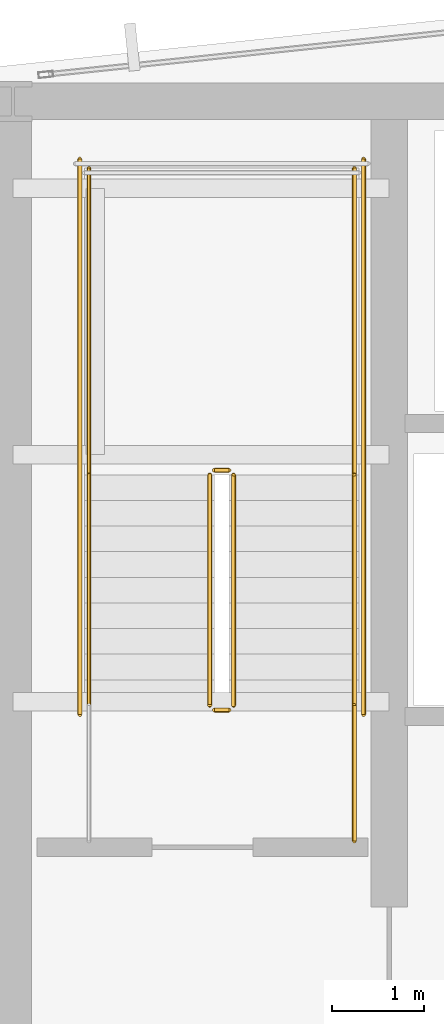
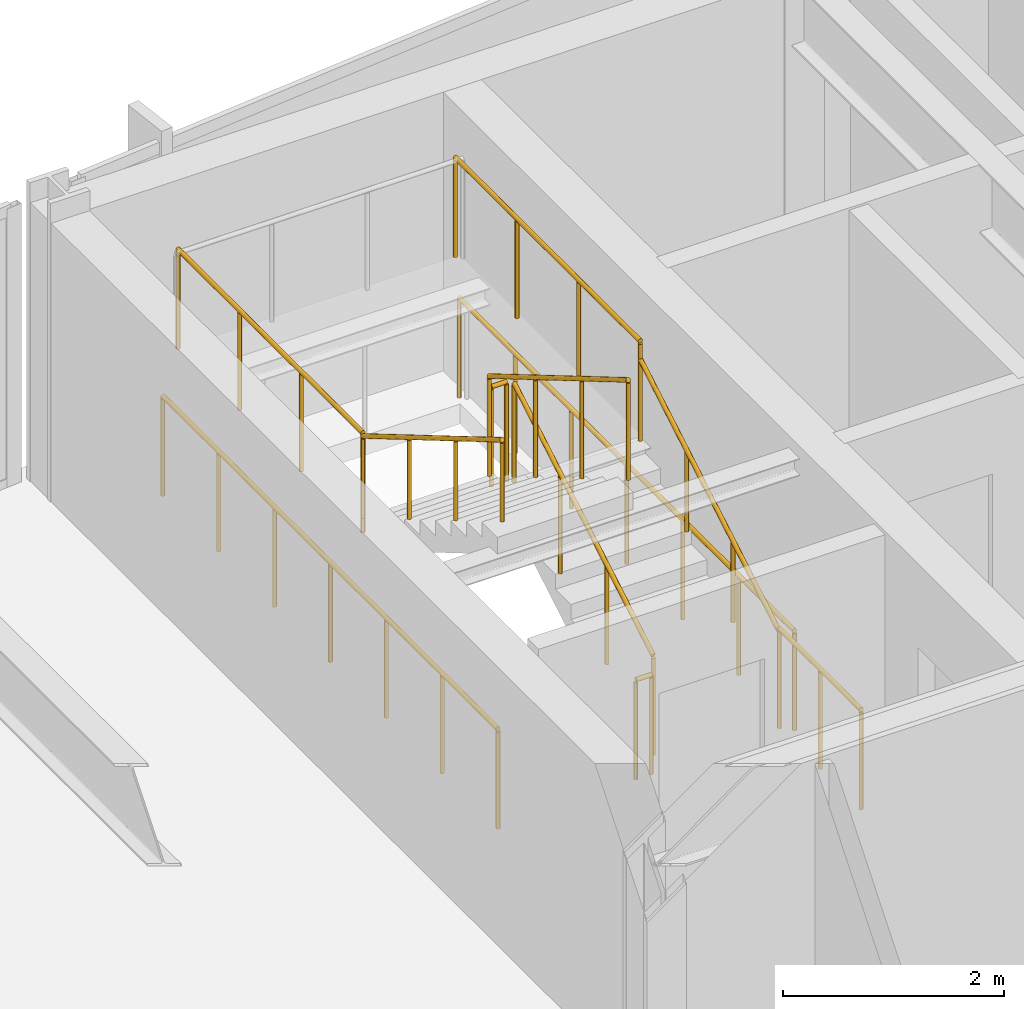
# One storey, part 31 of 33: 11 railings.
"""IFC4 building model written with IfcOpenShell, lengths in metres."""

from ifc_helpers import new_model, si_unit, direction, frame, origin, origin_2d, place, context, subcontext, project, spatial, circle, extrude, material, layer, layer_set, type_object, element, save


model = new_model("IFC4")

# Units and contexts
model_context = context("Model", 3, precision=1e-05, world=origin(), true_north=direction((0.0, 1.0)))
body_context = subcontext(model_context, "Body", "Model", "MODEL_VIEW")
ifc_project = project(units=[si_unit("LENGTHUNIT", "METRE"), si_unit("AREAUNIT", "SQUARE_METRE"), si_unit("VOLUMEUNIT", "CUBIC_METRE"), si_unit("PLANEANGLEUNIT", "RADIAN"), si_unit("MASSUNIT", "GRAM", prefix="KILO")], contexts=[model_context])

# Site, building, storey
site_placement = place(None, origin())
site = spatial("IfcSite", under=ifc_project, at=site_placement, CompositionType="ELEMENT")
building_placement = place(site_placement, origin())
building = spatial("IfcBuilding", under=site, at=building_placement, Name="Yelkora Congress Tower", CompositionType="ELEMENT")
storey_placement = place(building_placement, frame((0.0, 0.0, 240.800048828125)))
storey = spatial("IfcBuildingStorey", under=building, at=storey_placement, Name="L67", CompositionType="ELEMENT", Elevation=240.800048828125)

# Railings
ifc_material_1 = material(Name="Painted galvanised steel stair well guard with vertical infill", Category="steel")
ifc_layer_1 = layer(ifc_material_1, 0.06005859375)
ifc_layer_set_1 = layer_set([ifc_layer_1], Name="Painted galvanised steel stair well guard with vertical infill")
railing_type_1 = type_object("IfcRailingType", Name="RAIL-STAIR-GUARD-1120", PredefinedType="GUARDRAIL", material=ifc_layer_set_1)
railing_1_placement = place(storey_placement, frame((25.449951171875, 39.60009765625, 0.1650390625)))
element("IfcRailing", 1, at=railing_1_placement, inside=storey, type_object=railing_type_1, Name="ST-01 L67 Stair Well Guardrail 1", PredefinedType="GUARDRAIL", context=body_context, shape_type="SweptSolid", body=[
    extrude(circle(Radius=0.02392578125, at=origin_2d()), frame((0.0, 0.0, 1.09619140625), z_axis=(0.0, 0.861560626758, 0.507654692109), x_axis=(-1.0, 0.0, 0.0)), (0.0, 0.0, 1.0), 2.925048828125),
    extrude(circle(Radius=0.02099609375, at=origin_2d()), origin(), (0.0, 0.0, 1.0), 1.072021484375),
    extrude(circle(Radius=0.02099609375, at=origin_2d()), frame((0.0, 0.840087890625, 0.494873046875)), (0.0, 0.0, 1.0), 1.072021484375),
    extrude(circle(Radius=0.02099609375, at=origin_2d()), frame((0.0, 1.679931640625, 0.989990234375)), (0.0, 0.0, 1.0), 1.072021484375),
    extrude(circle(Radius=0.02099609375, at=origin_2d()), frame((0.0, 2.52001953125, 1.48486328125)), (0.0, 0.0, 1.0), 1.072021484375),
])
railing_2_placement = place(storey_placement, frame((25.39990234375, 42.169921875, 1.64990234375)))
element("IfcRailing", 2, at=railing_2_placement, inside=storey, type_object=railing_type_1, Name="ST-01 L67 Stair Well Guardrail 2", PredefinedType="GUARDRAIL", context=body_context, shape_type="SweptSolid", body=[
    extrude(circle(Radius=0.02392578125, at=origin_2d()), frame((0.0, 0.0, 1.09619140625), z_axis=(-1.0, 0.0, 0.0), x_axis=(0.0, -1.0, 0.0)), (0.0, 0.0, 1.0), 0.159912109375),
    extrude(circle(Radius=0.02099609375, at=origin_2d()), origin(), (0.0, 0.0, 1.0), 1.072021484375),
    extrude(circle(Radius=0.02099609375, at=origin_2d()), frame((-0.159912109375, 0.0, 0.0)), (0.0, 0.0, 1.0), 1.072021484375),
])
for number, where, name in (
    (3, (26.77001953125, 42.1201171875, 1.64990234375), "ST-01 L67 Stair Well Guardrail 3"),
    (4, (23.8701171875, 42.1201171875, 1.64990234375), "ST-01 L67 Stair Well Guardrail 4"),
):
    element("IfcRailing", number, at=place(storey_placement, frame(where)), inside=storey, type_object=railing_type_1, Name=name, PredefinedType="GUARDRAIL", context=body_context, shape_type="SweptSolid", body=[
        extrude(circle(Radius=0.02392578125, at=origin_2d()), frame((0.0, 0.0, 1.09619140625), z_axis=(0.0, 1.0, 0.0), x_axis=(-1.0, 0.0, 0.0)), (0.0, 0.0, 1.0), 3.349853515625),
        extrude(circle(Radius=0.02099609375, at=origin_2d()), origin(), (0.0, 0.0, 1.0), 1.072021484375),
        extrude(circle(Radius=0.02099609375, at=origin_2d()), frame((0.0, 1.11669921875, 0.0)), (0.0, 0.0, 1.0), 1.072021484375),
        extrude(circle(Radius=0.02099609375, at=origin_2d()), frame((0.0, 2.233154296875, 0.0)), (0.0, 0.0, 1.0), 1.072021484375),
        extrude(circle(Radius=0.02099609375, at=origin_2d()), frame((0.0, 3.349853515625, 0.0)), (0.0, 0.0, 1.0), 1.072021484375),
    ])
railing_3_placement = place(storey_placement, frame((25.18994140625, 42.1201171875, 1.81494140625)))
element("IfcRailing", 5, at=railing_3_placement, inside=storey, type_object=railing_type_1, Name="ST-01 L67 Stair Well Guardrail 6", PredefinedType="GUARDRAIL", context=body_context, shape_type="SweptSolid", body=[
    extrude(circle(Radius=0.02392578125, at=origin_2d()), frame((0.0, 0.0, 1.09619140625), z_axis=(0.0, -0.86152411907, 0.507716645641), x_axis=(1.0, 0.0, 0.0)), (0.0, 0.0, 1.0), 2.925048828125),
    extrude(circle(Radius=0.02099609375, at=origin_2d()), origin(), (0.0, 0.0, 1.0), 1.072021484375),
    extrude(circle(Radius=0.02099609375, at=origin_2d()), frame((0.0, -0.840087890625, 0.4951171875)), (0.0, 0.0, 1.0), 1.072021484375),
    extrude(circle(Radius=0.02099609375, at=origin_2d()), frame((0.0, -1.679931640625, 0.989990234375)), (0.0, 0.0, 1.0), 1.072021484375),
    extrude(circle(Radius=0.02099609375, at=origin_2d()), frame((0.0, -2.52001953125, 1.485107421875)), (0.0, 0.0, 1.0), 1.072021484375),
])
railing_4_placement = place(storey_placement, frame((25.39990234375, 39.550048828125, 0.0)))
element("IfcRailing", 6, at=railing_4_placement, inside=storey, type_object=railing_type_1, Name="ST-01 L67 Stair Well Guardrail 7", PredefinedType="GUARDRAIL", context=body_context, shape_type="SweptSolid", body=[
    extrude(circle(Radius=0.02392578125, at=origin_2d()), frame((0.0, 0.0, 1.09619140625), z_axis=(-1.0, 0.0, 0.0), x_axis=(0.0, -1.0, 0.0)), (0.0, 0.0, 1.0), 0.159912109375),
    extrude(circle(Radius=0.02099609375, at=origin_2d()), origin(), (0.0, 0.0, 1.0), 1.072021484375),
    extrude(circle(Radius=0.02099609375, at=origin_2d()), frame((-0.159912109375, 0.0, 0.0)), (0.0, 0.0, 1.0), 1.072021484375),
])
railing_5_placement = place(storey_placement, frame((26.77001953125, 38.1201171875, 0.0)))
element("IfcRailing", 7, at=railing_5_placement, inside=storey, type_object=railing_type_1, Name="ST-01 L67 Stair Well Guardrail 8", PredefinedType="GUARDRAIL", context=body_context, shape_type="SweptSolid", body=[
    extrude(circle(Radius=0.02392578125, at=origin_2d()), frame((0.0, 0.0, 1.09619140625), z_axis=(0.0, 1.0, 0.0), x_axis=(-1.0, 0.0, 0.0)), (0.0, 0.0, 1.0), 1.47998046875),
    extrude(circle(Radius=0.02099609375, at=origin_2d()), origin(), (0.0, 0.0, 1.0), 1.072021484375),
    extrude(circle(Radius=0.02099609375, at=origin_2d()), frame((0.0, 0.739990234375, 0.0)), (0.0, 0.0, 1.0), 1.072021484375),
    extrude(circle(Radius=0.02099609375, at=origin_2d()), frame((0.0, 1.47998046875, 0.0)), (0.0, 0.0, 1.0), 1.072021484375),
])
for number, where, name in (
    (8, (26.8701171875, 39.5, 0.0), "ST-01 L67 Stair Well Guardrail 10"),
    (9, (23.77001953125, 39.5, 0.0), "ST-01 L67 Stair Well Guardrail 11"),
):
    element("IfcRailing", number, at=place(storey_placement, frame(where)), inside=storey, type_object=railing_type_1, Name=name, PredefinedType="GUARDRAIL", context=body_context, shape_type="SweptSolid", body=[
        extrude(circle(Radius=0.02392578125, at=origin_2d()), frame((0.0, 0.0, 1.09619140625), z_axis=(0.0, 1.0, 0.0), x_axis=(-1.0, 0.0, 0.0)), (0.0, 0.0, 1.0), 6.070068359375),
        extrude(circle(Radius=0.02099609375, at=origin_2d()), origin(), (0.0, 0.0, 1.0), 1.072021484375),
        extrude(circle(Radius=0.02099609375, at=origin_2d()), frame((0.0, 1.01171875, 0.0)), (0.0, 0.0, 1.0), 1.072021484375),
        extrude(circle(Radius=0.02099609375, at=origin_2d()), frame((0.0, 2.0234375, 0.0)), (0.0, 0.0, 1.0), 1.072021484375),
        extrude(circle(Radius=0.02099609375, at=origin_2d()), frame((0.0, 3.03515625, 0.0)), (0.0, 0.0, 1.0), 1.072021484375),
        extrude(circle(Radius=0.02099609375, at=origin_2d()), frame((0.0, 4.046630859375, 0.0)), (0.0, 0.0, 1.0), 1.072021484375),
        extrude(circle(Radius=0.02099609375, at=origin_2d()), frame((0.0, 5.058349609375, 0.0)), (0.0, 0.0, 1.0), 1.072021484375),
        extrude(circle(Radius=0.02099609375, at=origin_2d()), frame((0.0, 6.070068359375, 0.0)), (0.0, 0.0, 1.0), 1.072021484375),
    ])
ifc_material_2 = material(Name="Brushed stainless steel tubular handrail", Category="steel")
ifc_layer_2 = layer(ifc_material_2, 0.050048828125)
ifc_layer_set_2 = layer_set([ifc_layer_2], Name="Brushed stainless steel tubular handrail")
railing_type_2 = type_object("IfcRailingType", Name="RAIL-STAIR-HAND-920", PredefinedType="HANDRAIL", material=ifc_layer_set_2)
railing_6_placement = place(storey_placement, frame((26.77001953125, 39.60009765625, 0.1650390625)))
element("IfcRailing", 10, at=railing_6_placement, inside=storey, type_object=railing_type_2, Name="ST-01 L67 Pitch Handrail 1", PredefinedType="HANDRAIL", context=body_context, shape_type="SweptSolid", body=[
    extrude(circle(Radius=0.02392578125, at=origin_2d()), frame((0.0, 0.0, 0.89599609375), z_axis=(0.0, 0.861560626758, 0.507654692109), x_axis=(-1.0, 0.0, 0.0)), (0.0, 0.0, 1.0), 2.925048828125),
    extrude(circle(Radius=0.02099609375, at=origin_2d()), origin(), (0.0, 0.0, 1.0), 0.871826171875),
    extrude(circle(Radius=0.02099609375, at=origin_2d()), frame((0.0, 0.840087890625, 0.494873046875)), (0.0, 0.0, 1.0), 0.871826171875),
    extrude(circle(Radius=0.02099609375, at=origin_2d()), frame((0.0, 1.679931640625, 0.989990234375)), (0.0, 0.0, 1.0), 0.871826171875),
    extrude(circle(Radius=0.02099609375, at=origin_2d()), frame((0.0, 2.52001953125, 1.48486328125)), (0.0, 0.0, 1.0), 0.871826171875),
])
railing_7_placement = place(storey_placement, frame((23.8701171875, 42.1201171875, 1.81494140625)))
element("IfcRailing", 11, at=railing_7_placement, inside=storey, type_object=railing_type_2, Name="ST-01 L67 Pitch Handrail 2", PredefinedType="HANDRAIL", context=body_context, shape_type="SweptSolid", body=[
    extrude(circle(Radius=0.02392578125, at=origin_2d()), frame((0.0, 0.0, 0.89599609375), z_axis=(0.0, -0.86152411907, 0.507716645641), x_axis=(1.0, 0.0, 0.0)), (0.0, 0.0, 1.0), 2.925048828125),
    extrude(circle(Radius=0.02099609375, at=origin_2d()), origin(), (0.0, 0.0, 1.0), 0.871826171875),
    extrude(circle(Radius=0.02099609375, at=origin_2d()), frame((0.0, -0.840087890625, 0.4951171875)), (0.0, 0.0, 1.0), 0.871826171875),
    extrude(circle(Radius=0.02099609375, at=origin_2d()), frame((0.0, -1.679931640625, 0.989990234375)), (0.0, 0.0, 1.0), 0.871826171875),
    extrude(circle(Radius=0.02099609375, at=origin_2d()), frame((0.0, -2.52001953125, 1.485107421875)), (0.0, 0.0, 1.0), 0.871826171875),
])

save(model, "model.ifc")
